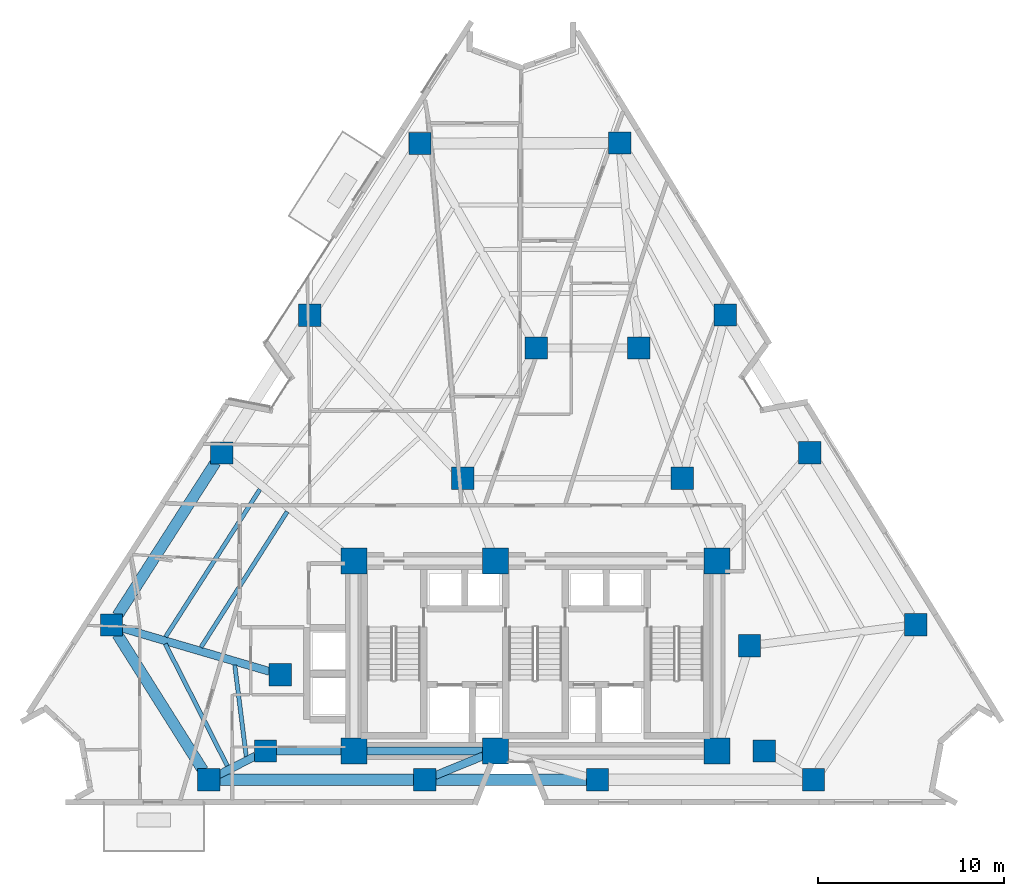
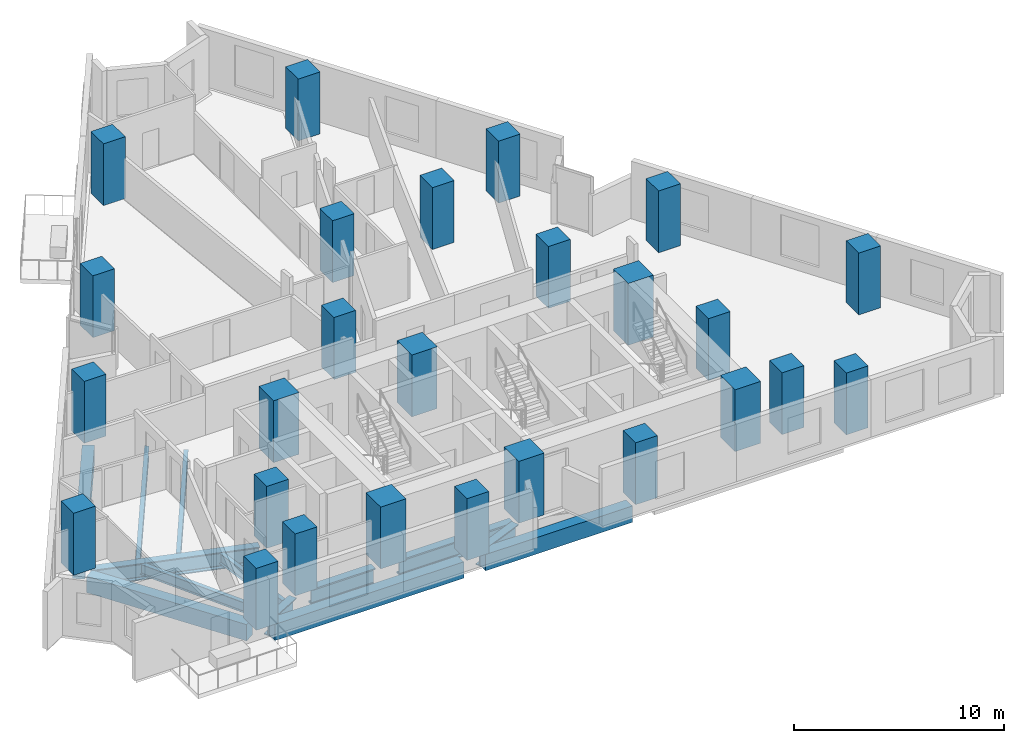
# One storey, part 1 of 13: 26 columns, 13 beams.
"""IFC4 building model written with IfcOpenShell, lengths in metres."""

from ifc_helpers import new_model, si_unit, direction, frame, origin, origin_2d, place, context, subcontext, project, spatial, rectangle, i_section, extrude, material, material_profile, profile_set, type_object, element, save


model = new_model("IFC4")

# Units and contexts
model_context = context("Model", 3, precision=1e-05, world=origin(), true_north=direction((0.0, 1.0)))
body_context = subcontext(model_context, "Body", "Model", "MODEL_VIEW")
ifc_project = project(units=[si_unit("LENGTHUNIT", "METRE"), si_unit("AREAUNIT", "SQUARE_METRE"), si_unit("VOLUMEUNIT", "CUBIC_METRE"), si_unit("PLANEANGLEUNIT", "RADIAN"), si_unit("MASSUNIT", "GRAM", prefix="KILO")], contexts=[model_context])

# Site, building, storey
site_placement = place(None, origin())
site = spatial("IfcSite", under=ifc_project, at=site_placement, CompositionType="ELEMENT")
building_placement = place(site_placement, origin())
building = spatial("IfcBuilding", under=site, at=building_placement, Name="Almagre Mirador Tower", CompositionType="ELEMENT")
storey_placement = place(building_placement, frame((0.0, 0.0, 89.39990234375)))
storey = spatial("IfcBuildingStorey", under=building, at=storey_placement, Name="L22", CompositionType="ELEMENT", Elevation=89.39990234375)

# Columns
ifc_material_1 = material(Name="Concrete C60/75", Category="concrete")
ifc_material_profile_1 = material_profile(ifc_material_1, rectangle(XDim=1.199951171875, YDim=1.199951171875, at=origin_2d()), Name="RC1200X1200")
ifc_profile_set_1 = profile_set([ifc_material_profile_1], Name="Concrete C60/75")
column_type_1 = type_object("IfcColumnType", Name="COL-RC1200", PredefinedType="COLUMN", material=ifc_profile_set_1)
for number, where, z_axis, x_axis, name in (
    (1, (22.800048828125, 4.550048828125, 0.0), (0.0, 0.0, 1.0), (1.0, 0.0, 0.0), "L22 interior transfer column MC1"),
    (2, (49.60009765625, 4.550048828125, 0.0), (0.0, 0.0, 1.0), (1.0, 0.0, 0.0), "L22 interior transfer column MC2"),
    (3, (48.800048828125, 10.199951171875, 0.0), (0.0, 0.0, 1.0), (1.0, 0.0, 0.0), "L22 interior transfer column MC3"),
    (4, (45.199951171875, 19.199951171875, 0.0), (0.0, 0.0, 1.0), (1.0, 0.0, 0.0), "L22 interior transfer column MC5"),
    (5, (42.85009765625, 26.199951171875, 0.0), (0.0, 0.0, 1.0), (1.0, 0.0, 0.0), "L22 interior transfer column MC6"),
    (6, (37.35009765625, 26.199951171875, 0.0), (0.0, 0.0, 1.0), (1.0, 0.0, 0.0), "L22 interior transfer column MC7"),
    (7, (33.39990234375, 19.199951171875, 0.0), (0.0, 0.0, 1.0), (1.0, 0.0, 0.0), "L22 interior transfer column MC8"),
    (8, (23.60009765625, 8.64990234375, 0.0), (0.0, 0.0, 1.0), (1.0, 0.0, 0.0), "L22 interior transfer column MC10"),
    (9, (19.760009765625, 3.0, 0.0), (0.0, 0.0, 1.0), (1.0, 0.0, 0.0), "L22 perimeter column PC01"),
    (10, (31.360107421875, 3.0, 0.0), (0.0, 0.0, 1.0), (1.0, 0.0, 0.0), "L22 perimeter column PC02"),
    (11, (40.639892578125, 3.0, 0.0), (0.0, 0.0, 1.0), (1.0, 0.0, 0.0), "L22 perimeter column PC03"),
    (12, (52.239990234375, 3.0, 0.0), (0.0, 0.0, 1.0), (1.0, 0.0, 0.0), "L22 perimeter column PC04"),
    (13, (57.72998046875, 11.3359375, 0.0), (0.0, 0.0, 1.0), (1.0, 0.0, 0.0), "L22 perimeter column PC05"),
    (14, (52.050048828125, 20.575927734375, 0.0), (0.0, 0.0, 1.0), (1.0, 0.0, 0.0), "L22 perimeter column PC06"),
    (15, (47.506103515625, 27.968017578125, 0.0), (0.0, 0.0, 1.0), (1.0, 0.0, 0.0), "L22 perimeter column PC07"),
    (16, (41.825927734375, 37.2080078125, 0.0), (0.0, 0.0, 1.0), (1.0, 0.0, 0.0), "L22 perimeter column PC08"),
    (17, (31.097900390625, 37.18896484375, 0.0), (0.0, 0.0, 1.0), (1.0, 0.0, 0.0), "L22 perimeter column PC09"),
    (18, (25.177978515625, 27.948974609375, 0.0), (0.0, 0.0, 1.0), (1.0, 0.0, 0.0), "L22 perimeter column PC10"),
    (19, (20.44189453125, 20.556884765625, 0.0), (0.0, 0.0, 1.0), (1.0, 0.0, 0.0), "L22 perimeter column PC11"),
    (20, (14.52197265625, 11.31689453125, 0.0), (0.0, 0.0, 1.0), (1.0, 0.0, 0.0), "L22 perimeter column PC12"),
):
    element("IfcColumn", number, at=place(storey_placement, frame(where, z_axis=z_axis, x_axis=x_axis)), inside=storey, type_object=column_type_1, Name=name, PredefinedType="COLUMN", context=body_context, shape_type="SweptSolid", body=[
        extrude(rectangle(XDim=1.199951171875, YDim=1.199951171875, at=origin_2d()), origin(), (0.0, 0.0, 1.0), 3.60009765625),
    ])
ifc_material_2 = material(Name="Concrete C60/75", Category="concrete")
ifc_material_profile_2 = material_profile(ifc_material_2, rectangle(XDim=1.39990234375, YDim=1.39990234375, at=origin_2d()), Name="RC1400X1400")
ifc_profile_set_2 = profile_set([ifc_material_profile_2], Name="Concrete C60/75")
column_type_2 = type_object("IfcColumnType", Name="COL-RC1400", PredefinedType="COLUMN", material=ifc_profile_set_2)
for number, where, z_axis, x_axis, name in (
    (21, (27.550048828125, 4.550048828125, 0.0), (0.0, 0.0, 1.0), (1.0, 0.0, 0.0), "L22 core spine column CC1"),
    (22, (35.14990234375, 4.550048828125, 0.0), (0.0, 0.0, 1.0), (1.0, 0.0, 0.0), "L22 core spine column CC2"),
    (23, (47.050048828125, 4.550048828125, 0.0), (0.0, 0.0, 1.0), (1.0, 0.0, 0.0), "L22 core spine column CC3"),
    (24, (27.550048828125, 14.75, 0.0), (0.0, 0.0, 1.0), (1.0, 0.0, 0.0), "L22 core spine column CC4"),
    (25, (35.14990234375, 14.75, 0.0), (0.0, 0.0, 1.0), (1.0, 0.0, 0.0), "L22 core spine column CC5"),
    (26, (47.050048828125, 14.75, 0.0), (0.0, 0.0, 1.0), (1.0, 0.0, 0.0), "L22 core spine column CC6"),
):
    element("IfcColumn", number, at=place(storey_placement, frame(where, z_axis=z_axis, x_axis=x_axis)), inside=storey, type_object=column_type_2, Name=name, PredefinedType="COLUMN", context=body_context, shape_type="SweptSolid", body=[
        extrude(rectangle(XDim=1.39990234375, YDim=1.39990234375, at=origin_2d()), origin(), (0.0, 0.0, 1.0), 3.60009765625),
    ])

# Beams
ifc_material_3 = material(Name="Steel ASTM A992 Grade 50", Category="steel")
ifc_material_profile_3 = material_profile(ifc_material_3, i_section(OverallWidth=0.22802734375, OverallDepth=0.60791015625, WebThickness=0.01123046875, FlangeThickness=0.017333984375, FilletRadius=0.02001953125, at=origin_2d()), Name="W24X76")
ifc_profile_set_3 = profile_set([ifc_material_profile_3], Name="Steel ASTM A992 Grade 50")
beam_type_1 = type_object("IfcBeamType", Name="BM-JST-W24X76", PredefinedType="JOIST", material=ifc_profile_set_3)
beam_1_placement = place(storey_placement, frame((22.499755859375, 18.601318359375, -0.553955078125), z_axis=(-0.538691298847, -0.842503225244, 0.0), x_axis=(0.842503225244, -0.538691298847, 0.0)))
element("IfcBeam", 27, at=beam_1_placement, inside=storey, type_object=beam_type_1, Name="L22 secondary floor joist PC11-PC12.1", PredefinedType="JOIST", context=body_context, shape_type="SweptSolid", body=[
    extrude(i_section(OverallWidth=0.22802734375, OverallDepth=0.60791015625, WebThickness=0.01123046875, FlangeThickness=0.017333984375, FilletRadius=0.02001953125, at=origin_2d()), origin(), (0.0, 0.0, 1.0), 9.40673828125),
])
beam_2_placement = place(storey_placement, frame((23.964599609375, 17.40478515625, -0.553955078125), z_axis=(-0.536295360878, -0.844030382096, 0.0), x_axis=(0.844030382096, -0.536295360878, 0.0)))
element("IfcBeam", 28, at=beam_2_placement, inside=storey, type_object=beam_type_1, Name="L22 secondary floor joist PC11-PC12.2", PredefinedType="JOIST", context=body_context, shape_type="SweptSolid", body=[
    extrude(i_section(OverallWidth=0.22802734375, OverallDepth=0.60791015625, WebThickness=0.01123046875, FlangeThickness=0.017333984375, FilletRadius=0.02001953125, at=origin_2d()), origin(), (0.0, 0.0, 1.0), 8.634033203125),
])
beam_3_placement = place(storey_placement, frame((17.4140625, 10.30517578125, -0.553955078125), z_axis=(0.453201108241, -0.891408298979, 0.0), x_axis=(0.891408298979, 0.453201108241, 0.0)))
element("IfcBeam", 29, at=beam_3_placement, inside=storey, type_object=beam_type_1, Name="L22 secondary floor joist PC12-PC01.1", PredefinedType="JOIST", context=body_context, shape_type="SweptSolid", body=[
    extrude(i_section(OverallWidth=0.22802734375, OverallDepth=0.60791015625, WebThickness=0.01123046875, FlangeThickness=0.017333984375, FilletRadius=0.02001953125, at=origin_2d()), origin(), (0.0, 0.0, 1.0), 7.35986328125),
])
beam_4_placement = place(storey_placement, frame((21.148681640625, 9.165771484375, -0.553955078125), z_axis=(0.124537963573, -0.992214843484, 0.0), x_axis=(0.992214843484, 0.124537963573, 0.0)))
element("IfcBeam", 30, at=beam_4_placement, inside=storey, type_object=beam_type_1, Name="L22 secondary floor joist PC12-PC01.3", PredefinedType="JOIST", context=body_context, shape_type="SweptSolid", body=[
    extrude(i_section(OverallWidth=0.22802734375, OverallDepth=0.60791015625, WebThickness=0.01123046875, FlangeThickness=0.017333984375, FilletRadius=0.02001953125, at=origin_2d()), origin(), (0.0, 0.0, 1.0), 4.955810546875),
])
ifc_material_4 = material(Name="Precast concrete C50/60", Category="concrete")
ifc_material_profile_4 = material_profile(ifc_material_4, rectangle(XDim=0.60009765625, YDim=0.949951171875, at=origin_2d()), Name="RC600X950")
ifc_profile_set_4 = profile_set([ifc_material_profile_4], Name="Precast concrete C50/60")
beam_type_2 = type_object("IfcBeamType", Name="BM-SPN-RC600X950", PredefinedType="SPANDREL", material=ifc_profile_set_4)
beam_5_placement = place(storey_placement, frame((20.360107421875, 3.0, -0.724853515625), z_axis=(1.0, 0.0, 0.0), x_axis=(0.0, 1.0, 0.0)))
element("IfcBeam", 31, at=beam_5_placement, inside=storey, type_object=beam_type_2, Name="L22 perimeter spandrel beam PC01-PC02", PredefinedType="SPANDREL", context=body_context, shape_type="SweptSolid", body=[
    extrude(rectangle(XDim=0.60009765625, YDim=0.949951171875, at=origin_2d()), origin(), (0.0, 0.0, 1.0), 10.39990234375),
])
beam_6_placement = place(storey_placement, frame((31.9599609375, 3.0, -0.724853515625), z_axis=(1.0, 0.0, 0.0), x_axis=(0.0, 1.0, 0.0)))
element("IfcBeam", 32, at=beam_6_placement, inside=storey, type_object=beam_type_2, Name="L22 perimeter spandrel beam PC02-PC03", PredefinedType="SPANDREL", context=body_context, shape_type="SweptSolid", body=[
    extrude(rectangle(XDim=0.60009765625, YDim=0.949951171875, at=origin_2d()), origin(), (0.0, 0.0, 1.0), 8.080078125),
])
beam_7_placement = place(storey_placement, frame((20.118408203125, 20.0517578125, -0.724853515625), z_axis=(-0.539476801219, -0.842000463745, 0.0), x_axis=(0.842000463745, -0.539476801219, 0.0)))
element("IfcBeam", 33, at=beam_7_placement, inside=storey, type_object=beam_type_2, Name="L22 perimeter spandrel beam PC11-PC12", PredefinedType="SPANDREL", context=body_context, shape_type="SweptSolid", body=[
    extrude(rectangle(XDim=0.60009765625, YDim=0.949951171875, at=origin_2d()), origin(), (0.0, 0.0, 1.0), 9.773681640625),
])
beam_8_placement = place(storey_placement, frame((14.841796875, 10.809326171875, -0.724853515625), z_axis=(0.532907818856, -0.846173301754, 0.0), x_axis=(0.846173301754, 0.532907818856, 0.0)))
element("IfcBeam", 34, at=beam_8_placement, inside=storey, type_object=beam_type_2, Name="L22 perimeter spandrel beam PC12-PC01", PredefinedType="SPANDREL", context=body_context, shape_type="SweptSolid", body=[
    extrude(rectangle(XDim=0.60009765625, YDim=0.949951171875, at=origin_2d()), origin(), (0.0, 0.0, 1.0), 8.62890625),
])
ifc_material_5 = material(Name="Steel ASTM A992 Grade 50", Category="steel")
ifc_material_profile_5 = material_profile(ifc_material_5, i_section(OverallWidth=0.427978515625, OverallDepth=0.97509765625, WebThickness=0.031005859375, FlangeThickness=0.055908203125, FilletRadius=0.028076171875, at=origin_2d()), Name="W36X395")
ifc_profile_set_5 = profile_set([ifc_material_profile_5], Name="Steel ASTM A992 Grade 50")
beam_type_3 = type_object("IfcBeamType", Name="BM-STL-W36X395", PredefinedType="BEAM", material=ifc_profile_set_5)
beam_9_placement = place(storey_placement, frame((20.29443359375, 3.2724609375, -0.7373046875), z_axis=(0.890845728366, 0.454305941247, 0.0), x_axis=(-0.454305941247, 0.890845728366, 0.0)))
element("IfcBeam", 35, at=beam_9_placement, inside=storey, type_object=beam_type_3, Name="L22 radial floor girder PC01-MC1", PredefinedType="BEAM", context=body_context, shape_type="SweptSolid", body=[
    extrude(i_section(OverallWidth=0.427978515625, OverallDepth=0.97509765625, WebThickness=0.031005859375, FlangeThickness=0.055908203125, FilletRadius=0.028076171875, at=origin_2d()), origin(), (0.0, 0.0, 1.0), 2.21240234375),
])
beam_10_placement = place(storey_placement, frame((31.915283203125, 3.22705078125, -0.7373046875), z_axis=(0.925599823227, 0.378503589472, 0.0), x_axis=(-0.378503589472, 0.925599823227, 0.0)))
element("IfcBeam", 36, at=beam_10_placement, inside=storey, type_object=beam_type_3, Name="L22 radial floor girder PC02-CC2", PredefinedType="BEAM", context=body_context, shape_type="SweptSolid", body=[
    extrude(i_section(OverallWidth=0.427978515625, OverallDepth=0.97509765625, WebThickness=0.031005859375, FlangeThickness=0.055908203125, FilletRadius=0.028076171875, at=origin_2d()), origin(), (0.0, 0.0, 1.0), 2.794921875),
])
beam_11_placement = place(storey_placement, frame((15.09765625, 11.14794921875, -0.7373046875), z_axis=(0.959448747286, -0.281883134174, 0.0), x_axis=(0.281883134174, 0.959448747286, 0.0)))
element("IfcBeam", 37, at=beam_11_placement, inside=storey, type_object=beam_type_3, Name="L22 radial floor girder PC12-MC10", PredefinedType="BEAM", context=body_context, shape_type="SweptSolid", body=[
    extrude(i_section(OverallWidth=0.427978515625, OverallDepth=0.97509765625, WebThickness=0.031005859375, FlangeThickness=0.055908203125, FilletRadius=0.028076171875, at=origin_2d()), origin(), (0.0, 0.0, 1.0), 8.26171875),
])
ifc_material_6 = material(Name="Steel ASTM A992 Grade 50", Category="steel")
ifc_material_profile_6 = material_profile(ifc_material_6, i_section(OverallWidth=0.43701171875, OverallDepth=1.010986328125, WebThickness=0.041015625, FlangeThickness=0.073974609375, FilletRadius=0.028076171875, at=origin_2d()), Name="W36X529")
ifc_profile_set_6 = profile_set([ifc_material_profile_6], Name="Steel ASTM A992 Grade 50")
beam_type_4 = type_object("IfcBeamType", Name="BM-STL-W36X529", PredefinedType="BEAM", material=ifc_profile_set_6)
beam_12_placement = place(storey_placement, frame((28.25, 4.550048828125, -0.75537109375), z_axis=(1.0, 0.0, 0.0), x_axis=(0.0, 1.0, 0.0)))
element("IfcBeam", 38, at=beam_12_placement, inside=storey, type_object=beam_type_4, Name="L22 core tie girder CC1-CC2", PredefinedType="BEAM", context=body_context, shape_type="SweptSolid", body=[
    extrude(i_section(OverallWidth=0.43701171875, OverallDepth=1.010986328125, WebThickness=0.041015625, FlangeThickness=0.073974609375, FilletRadius=0.028076171875, at=origin_2d()), origin(), (0.0, 0.0, 1.0), 6.199951171875),
])
beam_13_placement = place(storey_placement, frame((23.39990234375, 4.550048828125, -0.75537109375), z_axis=(1.0, 0.0, 0.0), x_axis=(0.0, 1.0, 0.0)))
element("IfcBeam", 39, at=beam_13_placement, inside=storey, type_object=beam_type_4, Name="L22 core tie girder MC1-CC1", PredefinedType="BEAM", context=body_context, shape_type="SweptSolid", body=[
    extrude(i_section(OverallWidth=0.43701171875, OverallDepth=1.010986328125, WebThickness=0.041015625, FlangeThickness=0.073974609375, FilletRadius=0.028076171875, at=origin_2d()), origin(), (0.0, 0.0, 1.0), 3.4501953125),
])

save(model, "model.ifc")
